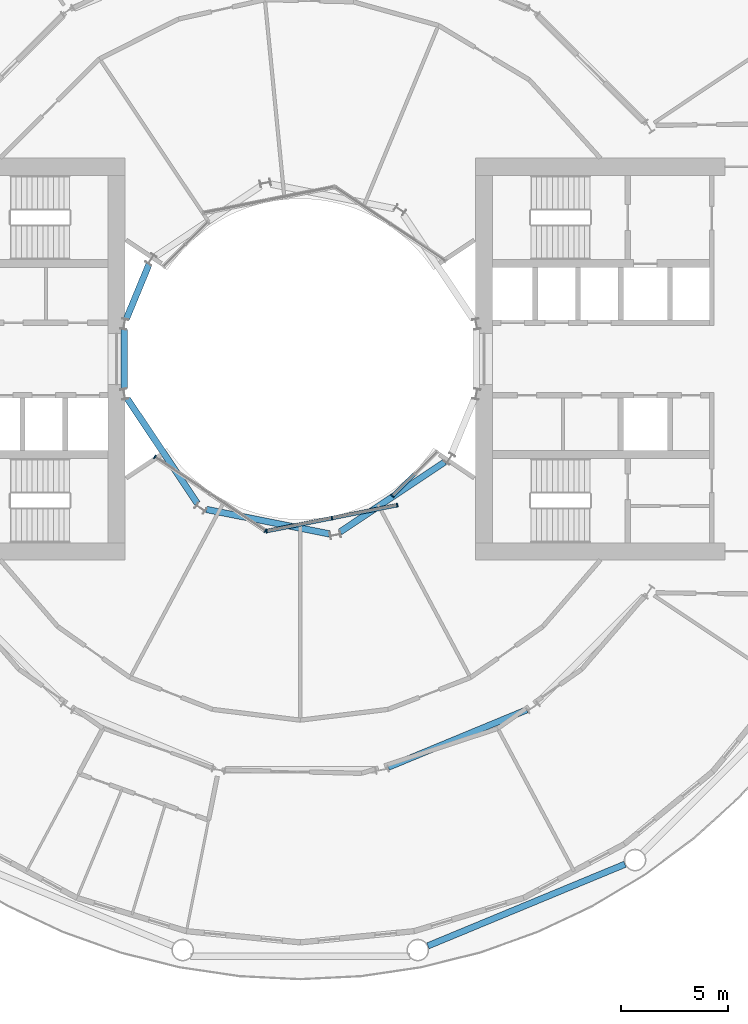
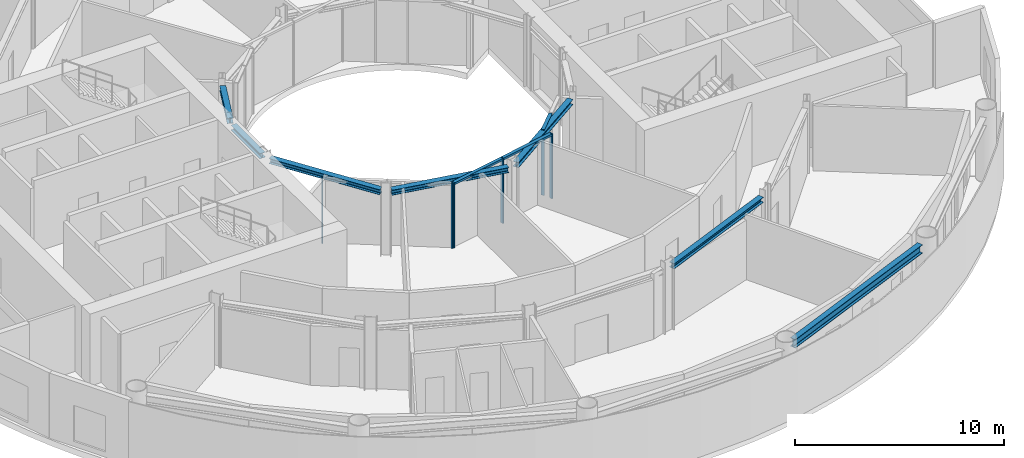
# One storey, part 5 of 19: 9 members, 7 beams, 3 elements without a shape of their own.
"""IFC4 building model written with IfcOpenShell, lengths in metres."""

from ifc_helpers import new_model, si_unit, direction, frame, origin, origin_2d, place, context, subcontext, project, spatial, rectangle, i_section, extrude, material, layer, layer_set, material_profile, profile_set, type_object, element, aggregate, save


model = new_model("IFC4")

# Units and contexts
model_context = context("Model", 3, precision=1e-05, world=origin(), true_north=direction((0.0, 1.0)))
body_context = subcontext(model_context, "Body", "Model", "MODEL_VIEW")
ifc_project = project(units=[si_unit("LENGTHUNIT", "METRE"), si_unit("AREAUNIT", "SQUARE_METRE"), si_unit("VOLUMEUNIT", "CUBIC_METRE"), si_unit("PLANEANGLEUNIT", "RADIAN"), si_unit("MASSUNIT", "GRAM", prefix="KILO")], contexts=[model_context])

# Site, building, storey
site_placement = place(None, origin())
site = spatial("IfcSite", under=ifc_project, at=site_placement, CompositionType="ELEMENT")
building_placement = place(site_placement, origin())
building = spatial("IfcBuilding", under=site, at=building_placement, Name="Maasbend Ring Residences", CompositionType="ELEMENT")
storey_placement = place(building_placement, frame((0.0, 0.0, 53.300048828125)))
storey = spatial("IfcBuildingStorey", under=building, at=storey_placement, Name="L15", CompositionType="ELEMENT", Elevation=53.300048828125)

# Curtain wall, members
ifc_material_1 = material(Name="Aluminium and clear glass", Category="aluminium")
ifc_layer = layer(ifc_material_1, 0.179931640625)
ifc_layer_set = layer_set([ifc_layer], Name="CW-W")
curtain_wall_type = type_object("IfcCurtainWallType", Name="CW-W", PredefinedType="NOTDEFINED", material=ifc_layer_set)
curtain_wall_1_placement = place(storey_placement, origin())
curtain_wall_1 = element("IfcCurtainWall", 1, at=curtain_wall_1_placement, inside=storey, type_object=curtain_wall_type, Name="Well curtain wall S1", PredefinedType="NOTDEFINED")
ifc_material_2 = material(Name="Aluminium 6063-T6", Category="aluminium")
ifc_material_profile_1 = material_profile(ifc_material_2, rectangle(XDim=0.179931640625, YDim=0.06005859375, at=origin_2d()), Name="AL 180x60")
ifc_profile_set_1 = profile_set([ifc_material_profile_1], Name="Aluminium 6063-T6")
member_type_1 = type_object("IfcMemberType", Name="CWM-W", PredefinedType="MULLION", material=ifc_profile_set_1)
member_1_placement = place(storey_placement, frame((-6.805908203125, -4.580810546875, 0.0), z_axis=(0.0, 0.0, 1.0), x_axis=(0.55557023302, 0.831469612303, 0.0)))
member_1 = element("IfcMember", 2, at=member_1_placement, type_object=member_type_1, Name="Mullion well face", PredefinedType="MULLION", context=body_context, shape_type="SweptSolid", body=[
    extrude(rectangle(XDim=0.179931640625, YDim=0.06005859375, at=origin_2d()), origin(), (0.0, 0.0, 1.0), 3.800048828125),
])
member_2_placement = place(storey_placement, frame((-1.627685546875, -8.040771484375, 0.0), z_axis=(0.0, 0.0, 1.0), x_axis=(0.55557023302, 0.831469612303, 0.0)))
member_2 = element("IfcMember", 3, at=member_2_placement, type_object=member_type_1, Name="Mullion well face", PredefinedType="MULLION", context=body_context, shape_type="SweptSolid", body=[
    extrude(rectangle(XDim=0.179931640625, YDim=0.06005859375, at=origin_2d()), origin(), (0.0, 0.0, 1.0), 3.800048828125),
])
aggregate(curtain_wall_1, [member_1, member_2])

curtain_wall_2_placement = place(storey_placement, origin())
curtain_wall_2 = element("IfcCurtainWall", 4, at=curtain_wall_2_placement, inside=storey, type_object=curtain_wall_type, Name="Well curtain wall S2", PredefinedType="NOTDEFINED")
member_3_placement = place(storey_placement, frame((-1.5732421875, -8.0517578125, 0.0), z_axis=(0.0, 0.0, 1.0), x_axis=(-0.195090322016, 0.980785280403, 0.0)))
member_3 = element("IfcMember", 5, at=member_3_placement, type_object=member_type_1, Name="Mullion well face", PredefinedType="MULLION", context=body_context, shape_type="SweptSolid", body=[
    extrude(rectangle(XDim=0.179931640625, YDim=0.06005859375, at=origin_2d()), origin(), (0.0, 0.0, 1.0), 3.800048828125),
])
member_4_placement = place(storey_placement, frame((1.480712890625, -7.444091796875, 0.0), z_axis=(0.0, 0.0, 1.0), x_axis=(-0.195090322016, 0.980785280403, 0.0)))
member_4 = element("IfcMember", 6, at=member_4_placement, type_object=member_type_1, Name="Mullion well face", PredefinedType="MULLION", context=body_context, shape_type="SweptSolid", body=[
    extrude(rectangle(XDim=0.179931640625, YDim=0.06005859375, at=origin_2d()), origin(), (0.0, 0.0, 1.0), 3.800048828125),
])
member_5_placement = place(storey_placement, frame((4.53466796875, -6.836669921875, 0.0), z_axis=(0.0, 0.0, 1.0), x_axis=(-0.195090322016, 0.980785280403, 0.0)))
member_5 = element("IfcMember", 7, at=member_5_placement, type_object=member_type_1, Name="Mullion well face", PredefinedType="MULLION", context=body_context, shape_type="SweptSolid", body=[
    extrude(rectangle(XDim=0.179931640625, YDim=0.06005859375, at=origin_2d()), origin(), (0.0, 0.0, 1.0), 3.800048828125),
])

# Curtain wall, member
curtain_wall_3_placement = place(storey_placement, origin())
curtain_wall_3 = element("IfcCurtainWall", 8, at=curtain_wall_3_placement, inside=storey, type_object=curtain_wall_type, Name="Well curtain wall S3", PredefinedType="NOTDEFINED")
member_6_placement = place(storey_placement, frame((4.320556640625, -6.413330078125, 0.0), z_axis=(0.0, 0.0, 1.0), x_axis=(-0.707106781187, 0.707106781187, 0.0)))
member_6 = element("IfcMember", 9, at=member_6_placement, type_object=member_type_1, Name="Mullion well face", PredefinedType="MULLION", context=body_context, shape_type="SweptSolid", body=[
    extrude(rectangle(XDim=0.179931640625, YDim=0.06005859375, at=origin_2d()), origin(), (0.0, 0.0, 1.0), 3.800048828125),
])

# Member
ifc_material_3 = material(Name="Aluminium 6063-T6", Category="aluminium")
ifc_material_profile_2 = material_profile(ifc_material_3, rectangle(XDim=0.179931640625, YDim=0.1201171875, at=origin_2d()), Name="AL 180x120")
ifc_profile_set_2 = profile_set([ifc_material_profile_2], Name="Aluminium 6063-T6")
member_type_2 = type_object("IfcMemberType", Name="CWT-W", PredefinedType="USERDEFINED", material=ifc_profile_set_2)
member_7_placement = place(storey_placement, frame((-1.5439453125, -8.0458984375, 3.739990234375), z_axis=(0.980776956105, 0.195132166424, 0.0), x_axis=(-0.195132166424, 0.980776956105, 0.0)))
member_7 = element("IfcMember", 10, at=member_7_placement, type_object=member_type_2, Name="Transom well face", ObjectType="TRANSOM", PredefinedType="USERDEFINED", context=body_context, shape_type="SweptSolid", body=[
    extrude(rectangle(XDim=0.179931640625, YDim=0.1201171875, at=origin_2d()), origin(), (0.0, 0.0, 1.0), 3.053955078125),
])

member_8_placement = place(storey_placement, frame((1.51025390625, -7.438232421875, 3.739990234375), z_axis=(0.980789210404, 0.19507056353, 0.0), x_axis=(-0.19507056353, 0.980789210404, 0.0)))
member_8 = element("IfcMember", 11, at=member_8_placement, type_object=member_type_2, Name="Transom well face", ObjectType="TRANSOM", PredefinedType="USERDEFINED", context=body_context, shape_type="SweptSolid", body=[
    extrude(rectangle(XDim=0.179931640625, YDim=0.1201171875, at=origin_2d()), origin(), (0.0, 0.0, 1.0), 3.0537109375),
])

aggregate(curtain_wall_2, [member_3, member_4, member_5, member_7, member_8])

member_9_placement = place(storey_placement, frame((4.341796875, -6.39208984375, 3.739990234375), z_axis=(0.707106781187, 0.707106781187, 0.0), x_axis=(-0.707106781187, 0.707106781187, 0.0)))
member_9 = element("IfcMember", 12, at=member_9_placement, type_object=member_type_2, Name="Transom well face", ObjectType="TRANSOM", PredefinedType="USERDEFINED", context=body_context, shape_type="SweptSolid", body=[
    extrude(rectangle(XDim=0.179931640625, YDim=0.1201171875, at=origin_2d()), origin(), (0.0, 0.0, 1.0), 1.419677734375),
])

aggregate(curtain_wall_3, [member_6, member_9])

# Beams
ifc_material_4 = material(Name="Steel S355J2", Category="steel")
ifc_material_profile_3 = material_profile(ifc_material_4, i_section(OverallWidth=0.300048828125, OverallDepth=0.300048828125, WebThickness=0.010986328125, FlangeThickness=0.01904296875, FilletRadius=0.027099609375, at=origin_2d()), Name="HEB 300")
ifc_profile_set_3 = profile_set([ifc_material_profile_3], Name="Steel S355J2")
beam_type_1 = type_object("IfcBeamType", Name="Corridor ring beam HEB 300", PredefinedType="BEAM", material=ifc_profile_set_3)
beam_1_placement = place(storey_placement, frame((4.11572265625, -19.102294921875, 3.64990234375), z_axis=(0.923886196809, 0.38266734293, 0.0), x_axis=(-0.38266734293, 0.923886196809, 0.0)))
element("IfcBeam", 13, at=beam_1_placement, inside=storey, type_object=beam_type_1, Name="Corridor ring beam", PredefinedType="BEAM", context=body_context, shape_type="SweptSolid", body=[
    extrude(i_section(OverallWidth=0.300048828125, OverallDepth=0.300048828125, WebThickness=0.010986328125, FlangeThickness=0.01904296875, FilletRadius=0.027099609375, at=origin_2d()), origin(), (0.0, 0.0, 1.0), 7.015380859375),
])
ifc_material_5 = material(Name="Steel S355J2", Category="steel")
ifc_material_profile_4 = material_profile(ifc_material_5, i_section(OverallWidth=0.300048828125, OverallDepth=0.5, WebThickness=0.014404296875, FlangeThickness=0.028076171875, FilletRadius=0.027099609375, at=origin_2d()), Name="HEB 500")
ifc_profile_set_4 = profile_set([ifc_material_profile_4], Name="Steel S355J2")
beam_type_2 = type_object("IfcBeamType", Name="Spandrel ring beam HEB 500", PredefinedType="SPANDREL", material=ifc_profile_set_4)
beam_2_placement = place(storey_placement, frame((5.970703125, -27.463623046875, 3.550048828125), z_axis=(0.923886337442, 0.382667003395, 0.0), x_axis=(-0.382667003395, 0.923886337442, 0.0)))
element("IfcBeam", 14, at=beam_2_placement, inside=storey, type_object=beam_type_2, Name="Spandrel ring beam", PredefinedType="SPANDREL", context=body_context, shape_type="SweptSolid", body=[
    extrude(i_section(OverallWidth=0.300048828125, OverallDepth=0.5, WebThickness=0.014404296875, FlangeThickness=0.028076171875, FilletRadius=0.027099609375, at=origin_2d()), origin(), (0.0, 0.0, 1.0), 9.9873046875),
])
ifc_material_6 = material(Name="Steel S355J2", Category="steel")
ifc_material_profile_5 = material_profile(ifc_material_6, i_section(OverallWidth=0.300048828125, OverallDepth=0.300048828125, WebThickness=0.010986328125, FlangeThickness=0.01904296875, FilletRadius=0.027099609375, at=origin_2d()), Name="HEB 300")
ifc_profile_set_5 = profile_set([ifc_material_profile_5], Name="Steel S355J2")
beam_type_3 = type_object("IfcBeamType", Name="Well edge beam HEB 300", PredefinedType="BEAM", material=ifc_profile_set_5)
beam_3_placement = place(storey_placement, frame((-7.081787109375, 4.431396484375, 3.64990234375), z_axis=(-0.382723119906, -0.923863092395, 0.0), x_axis=(0.923863092395, -0.382723119906, 0.0)))
element("IfcBeam", 15, at=beam_3_placement, inside=storey, type_object=beam_type_3, Name="Well edge beam", PredefinedType="BEAM", context=body_context, shape_type="SweptSolid", body=[
    extrude(i_section(OverallWidth=0.300048828125, OverallDepth=0.300048828125, WebThickness=0.010986328125, FlangeThickness=0.01904296875, FilletRadius=0.027099609375, at=origin_2d()), origin(), (0.0, 0.0, 1.0), 2.767822265625),
])
beam_4_placement = place(storey_placement, frame((-8.238525390625, 1.3837890625, 3.64990234375), z_axis=(0.0, -1.0, 0.0), x_axis=(1.0, 0.0, 0.0)))
element("IfcBeam", 16, at=beam_4_placement, inside=storey, type_object=beam_type_3, Name="Well edge beam", PredefinedType="BEAM", context=body_context, shape_type="SweptSolid", body=[
    extrude(i_section(OverallWidth=0.300048828125, OverallDepth=0.300048828125, WebThickness=0.010986328125, FlangeThickness=0.01904296875, FilletRadius=0.027099609375, at=origin_2d()), origin(), (0.0, 0.0, 1.0), 2.767578125),
])
beam_5_placement = place(storey_placement, frame((-8.08837890625, -1.86376953125, 3.64990234375), z_axis=(0.555589782054, -0.831456549723, 0.0), x_axis=(0.831456549723, 0.555589782054, 0.0)))
element("IfcBeam", 17, at=beam_5_placement, inside=storey, type_object=beam_type_3, Name="Well edge beam", PredefinedType="BEAM", context=body_context, shape_type="SweptSolid", body=[
    extrude(i_section(OverallWidth=0.300048828125, OverallDepth=0.300048828125, WebThickness=0.010986328125, FlangeThickness=0.01904296875, FilletRadius=0.027099609375, at=origin_2d()), origin(), (0.0, 0.0, 1.0), 5.887939453125),
])
beam_6_placement = place(storey_placement, frame((-4.4013671875, -7.037109375, 3.64990234375), z_axis=(0.980784282486, -0.195095338819, 0.0), x_axis=(0.195095338819, 0.980784282486, 0.0)))
element("IfcBeam", 18, at=beam_6_placement, inside=storey, type_object=beam_type_3, Name="Well edge beam", PredefinedType="BEAM", context=body_context, shape_type="SweptSolid", body=[
    extrude(i_section(OverallWidth=0.300048828125, OverallDepth=0.300048828125, WebThickness=0.010986328125, FlangeThickness=0.01904296875, FilletRadius=0.027099609375, at=origin_2d()), origin(), (0.0, 0.0, 1.0), 5.8876953125),
])
beam_7_placement = place(storey_placement, frame((1.86376953125, -8.08837890625, 3.64990234375), z_axis=(0.831456549723, 0.555589782054, 0.0), x_axis=(-0.555589782054, 0.831456549723, 0.0)))
element("IfcBeam", 19, at=beam_7_placement, inside=storey, type_object=beam_type_3, Name="Well edge beam", PredefinedType="BEAM", context=body_context, shape_type="SweptSolid", body=[
    extrude(i_section(OverallWidth=0.300048828125, OverallDepth=0.300048828125, WebThickness=0.010986328125, FlangeThickness=0.01904296875, FilletRadius=0.027099609375, at=origin_2d()), origin(), (0.0, 0.0, 1.0), 5.887939453125),
])

save(model, "model.ifc")
